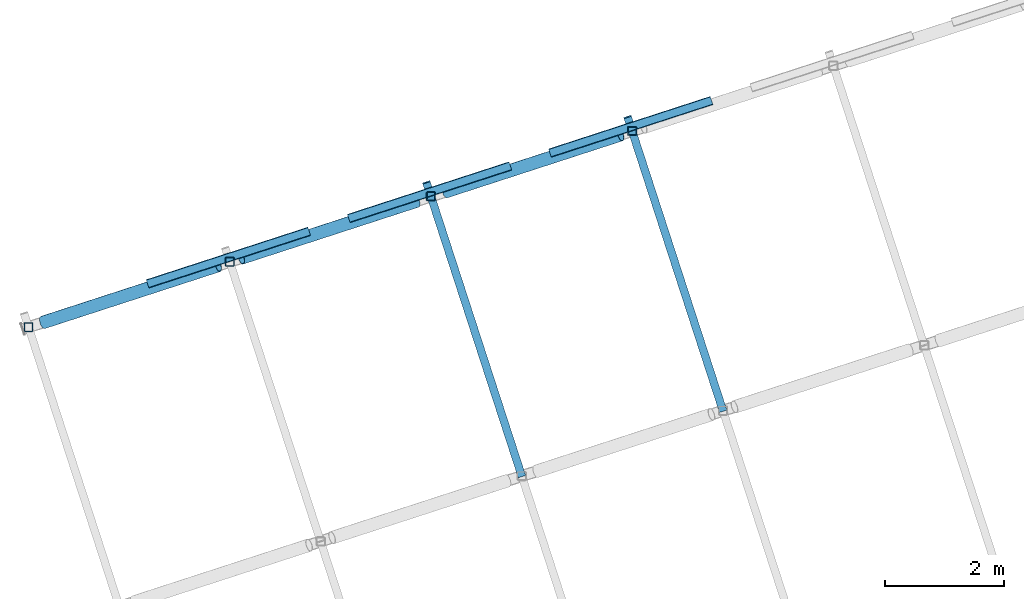
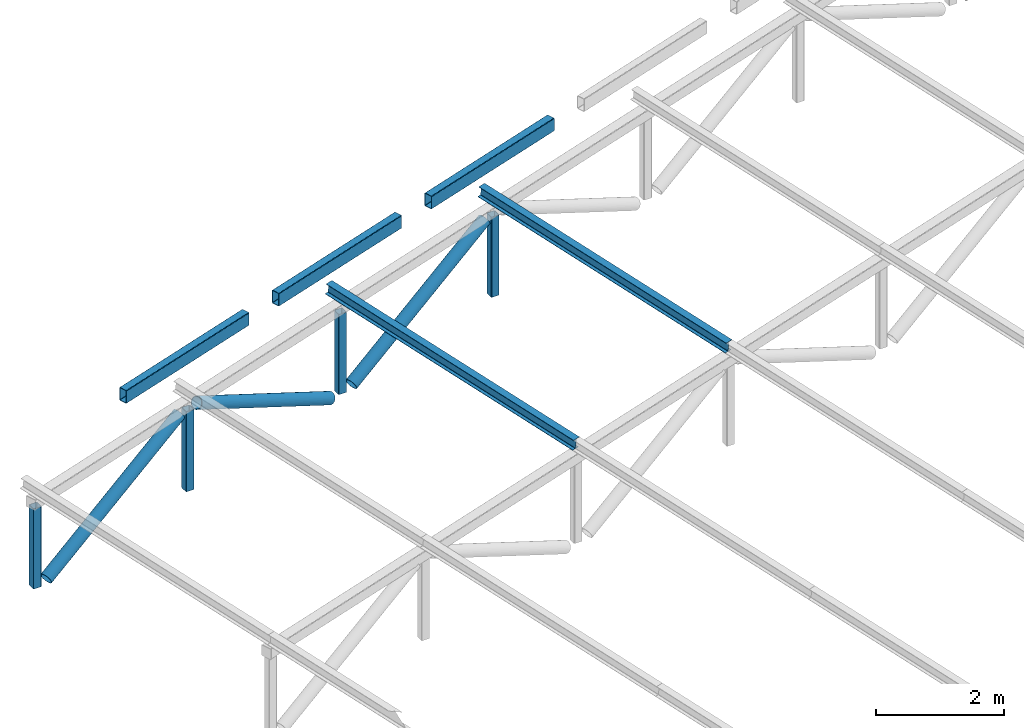
# One storey, part 4 of 43: 12 members.
"""IFC4 building model written with IfcOpenShell, lengths in metres."""

from ifc_helpers import new_model, si_unit, direction, frame, origin, origin_2d, place, context, subcontext, project, spatial, hollow_rectangle, hollow_circle, i_section, extrude, material, material_profile, profile_set, type_object, element, save


model = new_model("IFC4")

# Units and contexts
model_context = context("Model", 3, precision=1e-05, world=origin(), true_north=direction((0.0, 1.0)))
body_context = subcontext(model_context, "Body", "Model", "MODEL_VIEW")
ifc_project = project(units=[si_unit("LENGTHUNIT", "METRE"), si_unit("AREAUNIT", "SQUARE_METRE"), si_unit("VOLUMEUNIT", "CUBIC_METRE"), si_unit("PLANEANGLEUNIT", "RADIAN"), si_unit("MASSUNIT", "GRAM", prefix="KILO")], contexts=[model_context])

# Site, building, storey
site_placement = place(None, origin())
site = spatial("IfcSite", under=ifc_project, at=site_placement, CompositionType="ELEMENT")
building_placement = place(site_placement, origin())
building = spatial("IfcBuilding", under=site, at=building_placement, Name="Tuart Plaza Theatre", CompositionType="ELEMENT")
storey_placement = place(building_placement, frame((0.0, 0.0, 33.5)))
storey = spatial("IfcBuildingStorey", under=building, at=storey_placement, Name="L08", CompositionType="ELEMENT", Elevation=33.5)

# Members
ifc_material_1 = material(Name="Steel Grade C350L0", Category="steel")
ifc_material_profile_1 = material_profile(ifc_material_1, hollow_rectangle(XDim=0.14990234375, YDim=0.25, WallThickness=0.009033203125, InnerFilletRadius=0.009033203125, OuterFilletRadius=0.01806640625, at=origin_2d()), Name="250x150x9 RHS")
ifc_profile_set_1 = profile_set([ifc_material_profile_1], Name="Steel Grade C350L0")
member_type_1 = type_object("IfcMemberType", Name="CROWN BLADE Tie 250x150x9 RHS", PredefinedType="CHORD", material=ifc_profile_set_1)
member_1_placement = place(storey_placement, frame((37.413330078125, 88.458984375, 2.34130859375), z_axis=(0.951045354881, 0.309051343565, 0.0), x_axis=(-0.309051343565, 0.951045354881, 0.0)))
element("IfcMember", 1, at=member_1_placement, inside=storey, type_object=member_type_1, Name="CH27", PredefinedType="CHORD", context=body_context, shape_type="SweptSolid", body=[
    extrude(hollow_rectangle(XDim=0.14990234375, YDim=0.25, WallThickness=0.009033203125, InnerFilletRadius=0.009033203125, OuterFilletRadius=0.01806640625, at=origin_2d()), origin(), (0.0, 0.0, 1.0), 2.861328125),
])
member_2_placement = place(storey_placement, frame((40.80029296875, 89.5595703125, 2.34130859375), z_axis=(0.951062284761, 0.308999240298, 0.0), x_axis=(-0.308999240298, 0.951062284761, 0.0)))
element("IfcMember", 2, at=member_2_placement, inside=storey, type_object=member_type_1, Name="CH27", PredefinedType="CHORD", context=body_context, shape_type="SweptSolid", body=[
    extrude(hollow_rectangle(XDim=0.14990234375, YDim=0.25, WallThickness=0.009033203125, InnerFilletRadius=0.009033203125, OuterFilletRadius=0.01806640625, at=origin_2d()), origin(), (0.0, 0.0, 1.0), 2.86083984375),
])
member_3_placement = place(storey_placement, frame((44.18701171875, 90.659912109375, 2.34130859375), z_axis=(0.951045354881, 0.309051343565, 0.0), x_axis=(-0.309051343565, 0.951045354881, 0.0)))
element("IfcMember", 3, at=member_3_placement, inside=storey, type_object=member_type_1, Name="CH27", PredefinedType="CHORD", context=body_context, shape_type="SweptSolid", body=[
    extrude(hollow_rectangle(XDim=0.14990234375, YDim=0.25, WallThickness=0.009033203125, InnerFilletRadius=0.009033203125, OuterFilletRadius=0.01806640625, at=origin_2d()), origin(), (0.0, 0.0, 1.0), 2.861328125),
])
ifc_material_2 = material(Name="Steel Grade C350L0", Category="steel")
ifc_material_profile_2 = material_profile(ifc_material_2, hollow_circle(Radius=0.109619140625, WallThickness=0.00830078125, at=origin_2d()), Name="219.1x8.2 CHS")
ifc_profile_set_2 = profile_set([ifc_material_profile_2], Name="Steel Grade C350L0")
member_type_2 = type_object("IfcMemberType", Name="MEMBER Brace 219.1x8.2 CHS", PredefinedType="BRACE", material=ifc_profile_set_2)
for number, where, z_axis, x_axis, name in (
    (4, (35.652099609375, 87.808349609375, -0.13916015625), (0.853572626097, 0.277345791654, 0.441013700273), (-0.30902025289, 0.951055457533, 0.0), "BR87"),
    (5, (38.990478515625, 88.89306640625, 1.3857421875), (0.853572626097, 0.277345791654, -0.441013700273), (-0.30902025289, 0.951055457533, 0.0), "BR88"),
    (6, (42.42578125, 90.00927734375, -0.13916015625), (0.853589339683, 0.277280613528, 0.441022335649), (-0.308949091736, 0.95107857652, 0.0), "BR89"),
):
    element("IfcMember", number, at=place(storey_placement, frame(where, z_axis=z_axis, x_axis=x_axis)), inside=storey, type_object=member_type_2, Name=name, PredefinedType="BRACE", context=body_context, shape_type="SweptSolid", body=[
        extrude(hollow_circle(Radius=0.109619140625, WallThickness=0.00830078125, at=origin_2d()), origin(), (0.0, 0.0, 1.0), 3.457763671875),
    ])
ifc_material_3 = material(Name="Steel Grade C350L0", Category="steel")
ifc_material_profile_3 = material_profile(ifc_material_3, hollow_rectangle(XDim=0.14990234375, YDim=0.14990234375, WallThickness=0.009033203125, InnerFilletRadius=0.009033203125, OuterFilletRadius=0.01806640625, at=origin_2d()), Name="150x150x9 SHS")
ifc_profile_set_3 = profile_set([ifc_material_profile_3], Name="Steel Grade C350L0")
member_type_3 = type_object("IfcMemberType", Name="MEMBER Post 150x150x9 SHS", PredefinedType="POST", material=ifc_profile_set_3)
for number, where, z_axis, x_axis, name in (
    (7, (35.41015625, 87.729736328125, -0.13916015625), (0.0, 0.0, 1.0), (1.0, 0.0, 0.0), "PO99"),
    (8, (38.797119140625, 88.830078125, -0.13916015625), (0.0, 0.0, 1.0), (1.0, 0.0, 0.0), "PO100"),
    (9, (42.183837890625, 89.9306640625, -0.13916015625), (0.0, 0.0, 1.0), (1.0, 0.0, 0.0), "PO101"),
    (10, (45.570556640625, 91.031005859375, -0.13916015625), (0.0, 0.0, 1.0), (1.0, 0.0, 0.0), "PO102"),
):
    element("IfcMember", number, at=place(storey_placement, frame(where, z_axis=z_axis, x_axis=x_axis)), inside=storey, type_object=member_type_3, Name=name, PredefinedType="POST", context=body_context, shape_type="SweptSolid", body=[
        extrude(hollow_rectangle(XDim=0.14990234375, YDim=0.14990234375, WallThickness=0.009033203125, InnerFilletRadius=0.009033203125, OuterFilletRadius=0.01806640625, at=origin_2d()), origin(), (0.0, 0.0, 1.0), 1.52490234375),
    ])
ifc_material_4 = material(Name="Steel Grade 300", Category="steel")
ifc_material_profile_4 = material_profile(ifc_material_4, i_section(OverallWidth=0.133056640625, OverallDepth=0.202880859375, WebThickness=0.005859375, FlangeThickness=0.0078125, FilletRadius=0.0087890625, at=origin_2d()), Name="200UB25.4")
ifc_profile_set_4 = profile_set([ifc_material_profile_4], Name="Steel Grade 300")
member_type_4 = type_object("IfcMemberType", Name="MEMBER Purlin 200UB25.4", PredefinedType="PURLIN", material=ifc_profile_set_4)
member_4_placement = place(storey_placement, frame((43.71337890625, 85.222900390625, 1.17822265625), z_axis=(-0.30730075306, 0.945856868861, 0.104503735807), x_axis=(-0.951064427824, -0.308992644131, 0.0)))
element("IfcMember", 11, at=member_4_placement, inside=storey, type_object=member_type_4, Name="PU90", PredefinedType="PURLIN", context=body_context, shape_type="SweptSolid", body=[
    extrude(i_section(OverallWidth=0.133056640625, OverallDepth=0.202880859375, WebThickness=0.005859375, FlangeThickness=0.0078125, FilletRadius=0.0087890625, at=origin_2d()), origin(), (0.0, 0.0, 1.0), 5.228515625),
])
member_5_placement = place(storey_placement, frame((47.100341796875, 86.3232421875, 1.17822265625), z_axis=(-0.307329464254, 0.945848215952, 0.104497620936), x_axis=(-0.951055112834, -0.309021313752, 0.0)))
element("IfcMember", 12, at=member_5_placement, inside=storey, type_object=member_type_4, Name="PU94", PredefinedType="PURLIN", context=body_context, shape_type="SweptSolid", body=[
    extrude(i_section(OverallWidth=0.133056640625, OverallDepth=0.202880859375, WebThickness=0.005859375, FlangeThickness=0.0078125, FilletRadius=0.0087890625, at=origin_2d()), origin(), (0.0, 0.0, 1.0), 5.228759765625),
])

save(model, "model.ifc")
